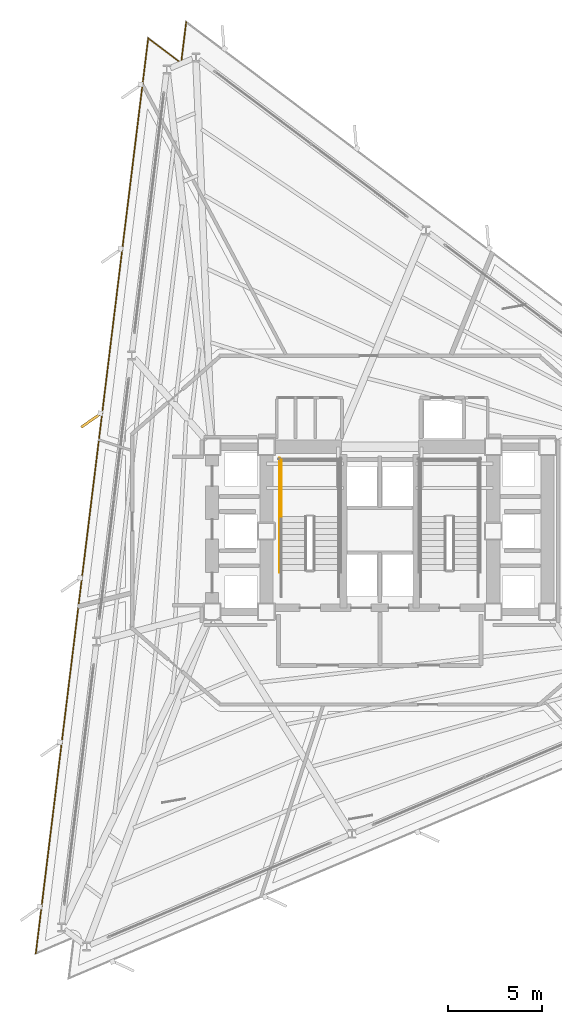
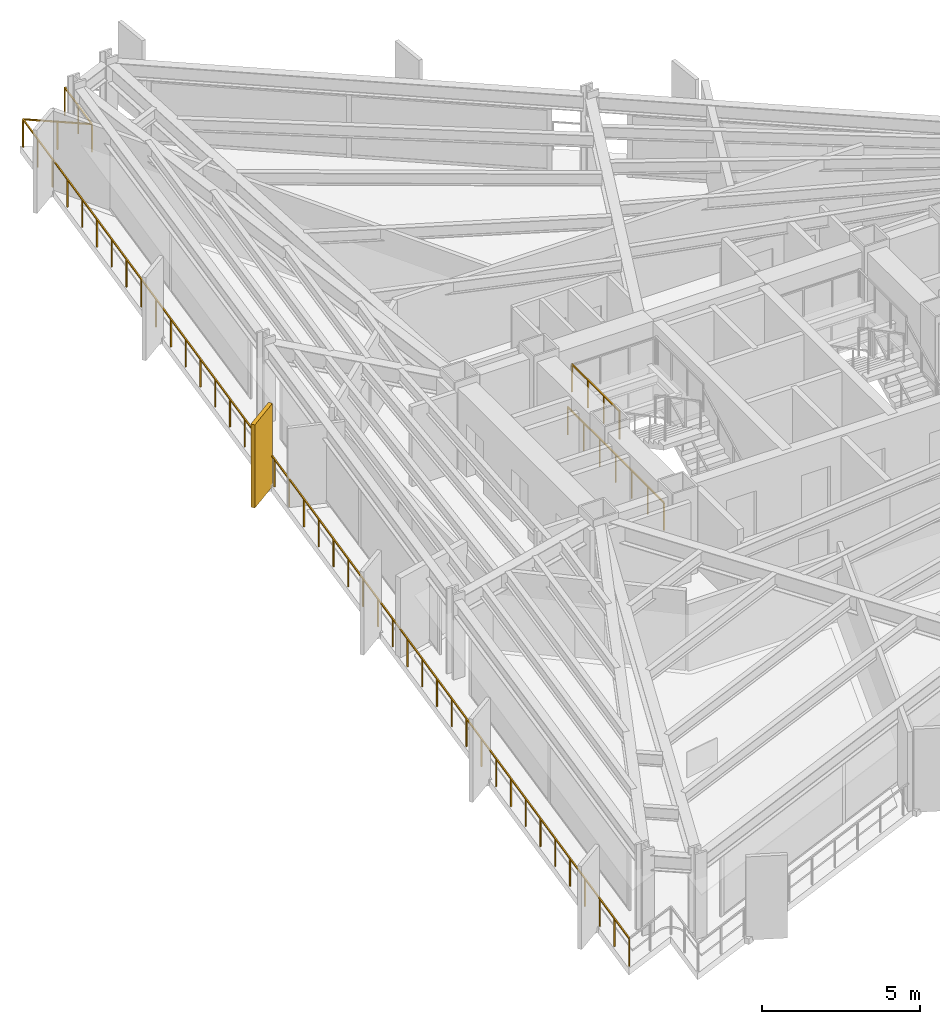
# One storey, part 11 of 13: 3 railings, 1 shading device.
"""IFC4 building model written with IfcOpenShell, lengths in metres."""

from ifc_helpers import new_model, si_unit, direction, frame, origin, origin_2d, place, context, subcontext, project, spatial, rectangle, extrude, material, layer, layer_set, type_object, element, save


model = new_model("IFC4")

# Units and contexts
model_context = context("Model", 3, precision=1e-05, world=origin(), true_north=direction((0.0, 1.0)))
body_context = subcontext(model_context, "Body", "Model", "MODEL_VIEW")
ifc_project = project(units=[si_unit("LENGTHUNIT", "METRE"), si_unit("AREAUNIT", "SQUARE_METRE"), si_unit("VOLUMEUNIT", "CUBIC_METRE"), si_unit("PLANEANGLEUNIT", "RADIAN"), si_unit("MASSUNIT", "GRAM", prefix="KILO")], contexts=[model_context])

# Site, building, storey
site_placement = place(None, origin())
site = spatial("IfcSite", under=ifc_project, at=site_placement, CompositionType="ELEMENT")
building_placement = place(site_placement, origin())
building = spatial("IfcBuilding", under=site, at=building_placement, Name="Rocaltana Carrier Exchange", CompositionType="ELEMENT")
storey_placement = place(building_placement, frame((0.0, 0.0, 52.9599609375)))
storey = spatial("IfcBuildingStorey", under=building, at=storey_placement, Name="L16", CompositionType="ELEMENT", Elevation=52.9599609375)

# Railings
ifc_material_1 = material(Name="Powder-Coated Aluminium 6063-T6", Category="aluminium")
ifc_layer_1 = layer(ifc_material_1, 0.048095703125)
ifc_layer_set_1 = layer_set([ifc_layer_1], Name="Powder-Coated Aluminium 6063-T6")
railing_type_1 = type_object("IfcRailingType", Name="Stair Well Guardrail 1100", PredefinedType="GUARDRAIL", material=ifc_layer_set_1)
railing_1_placement = place(storey_placement, frame((-5.25, 0.780029296875, 1.679931640625)))
element("IfcRailing", 1, at=railing_1_placement, inside=storey, type_object=railing_type_1, Name="L16 ST-1 stair guard 4", PredefinedType="GUARDRAIL", context=body_context, shape_type="SweptSolid", body=[
    extrude(rectangle(XDim=0.048095703125, YDim=0.048095703125, at=origin_2d()), frame((0.0, 0.0, 1.076171875), z_axis=(0.0, 1.0, 0.0), x_axis=(-1.0, 0.0, 0.0)), (0.0, 0.0, 1.0), 3.02001953125),
    extrude(rectangle(XDim=0.0419921875, YDim=0.0419921875, at=origin_2d()), origin(), (0.0, 0.0, 1.0), 1.052001953125),
    extrude(rectangle(XDim=0.0419921875, YDim=0.0419921875, at=origin_2d()), frame((0.0, 1.006591796875, 0.0)), (0.0, 0.0, 1.0), 1.052001953125),
    extrude(rectangle(XDim=0.0419921875, YDim=0.0419921875, at=origin_2d()), frame((0.0, 2.013427734375, 0.0)), (0.0, 0.0, 1.0), 1.052001953125),
    extrude(rectangle(XDim=0.0419921875, YDim=0.0419921875, at=origin_2d()), frame((0.0, 3.02001953125, 0.0)), (0.0, 0.0, 1.0), 1.052001953125),
])
railing_2_placement = place(storey_placement, frame((-5.35009765625, -2.199951171875, 0.0)))
element("IfcRailing", 2, at=railing_2_placement, inside=storey, type_object=railing_type_1, Name="L16 ST-1 stair guard 11", PredefinedType="GUARDRAIL", context=body_context, shape_type="SweptSolid", body=[
    extrude(rectangle(XDim=0.048095703125, YDim=0.048095703125, at=origin_2d()), frame((0.0, 0.0, 1.076171875), z_axis=(0.0, 1.0, 0.0), x_axis=(-1.0, 0.0, 0.0)), (0.0, 0.0, 1.0), 6.099853515625),
    extrude(rectangle(XDim=0.0419921875, YDim=0.0419921875, at=origin_2d()), origin(), (0.0, 0.0, 1.0), 1.052001953125),
    extrude(rectangle(XDim=0.0419921875, YDim=0.0419921875, at=origin_2d()), frame((0.0, 1.0166015625, 0.0)), (0.0, 0.0, 1.0), 1.052001953125),
    extrude(rectangle(XDim=0.0419921875, YDim=0.0419921875, at=origin_2d()), frame((0.0, 2.033203125, 0.0)), (0.0, 0.0, 1.0), 1.052001953125),
    extrude(rectangle(XDim=0.0419921875, YDim=0.0419921875, at=origin_2d()), frame((0.0, 3.0498046875, 0.0)), (0.0, 0.0, 1.0), 1.052001953125),
    extrude(rectangle(XDim=0.0419921875, YDim=0.0419921875, at=origin_2d()), frame((0.0, 4.066650390625, 0.0)), (0.0, 0.0, 1.0), 1.052001953125),
    extrude(rectangle(XDim=0.0419921875, YDim=0.0419921875, at=origin_2d()), frame((0.0, 5.083251953125, 0.0)), (0.0, 0.0, 1.0), 1.052001953125),
    extrude(rectangle(XDim=0.0419921875, YDim=0.0419921875, at=origin_2d()), frame((0.0, 6.099853515625, 0.0)), (0.0, 0.0, 1.0), 1.052001953125),
])

# Shading device
ifc_material_2 = material(Name="Honed Bogota Sandstone & Concrete C45/55", Category="masonry")
ifc_layer_2 = layer(ifc_material_2, 0.139892578125)
ifc_layer_set_2 = layer_set([ifc_layer_2], Name="Honed Bogota Sandstone & Concrete C45/55")
shading_device_type = type_object("IfcShadingDeviceType", Name="Vertical Sandstone Shading Fin 1320x140", PredefinedType="USERDEFINED", material=ifc_layer_set_2)
shading_device_placement = place(storey_placement, frame((-15.38427734375, 5.92431640625, -0.1201171875), z_axis=(0.0, 0.0, 1.0), x_axis=(-0.819152044289, -0.573576436351, 0.0)))
element("IfcShadingDevice", 3, at=shading_device_placement, inside=storey, type_object=shading_device_type, Name="L16 Sandstone Vertical Fin F2-03", ObjectType="FIN", PredefinedType="USERDEFINED", context=body_context, shape_type="SweptSolid", body=[
    extrude(rectangle(XDim=1.320068359375, YDim=0.139892578125, at=origin_2d()), origin(), (0.0, 0.0, 1.0), 3.218017578125),
])

# Railing
ifc_material_3 = material(Name="Powder-Coated Aluminium 6063-T6", Category="aluminium")
ifc_layer_3 = layer(ifc_material_3, 0.06005859375)
ifc_layer_set_3 = layer_set([ifc_layer_3], Name="Powder-Coated Aluminium 6063-T6")
railing_type_2 = type_object("IfcRailingType", Name="Wind-Floor & Terrace Perimeter Guardrail 1100", PredefinedType="GUARDRAIL", material=ifc_layer_set_3)
railing_3_placement = place(storey_placement, frame((-18.352783203125, -22.52734375, 0.0)))
element("IfcRailing", 4, at=railing_3_placement, inside=storey, type_object=railing_type_2, Name="L16 Perimeter Balcony Guardrail 2", PredefinedType="GUARDRAIL", context=body_context, shape_type="SweptSolid", body=[
    extrude(rectangle(XDim=0.048095703125, YDim=0.048095703125, at=origin_2d()), frame((0.0, 0.0, 1.076171875), z_axis=(0.12186659782, 0.992546488753, 0.0), x_axis=(-0.992546488753, 0.12186659782, 0.0)), (0.0, 0.0, 1.0), 49.192138671875),
    extrude(rectangle(XDim=0.048095703125, YDim=0.048095703125, at=origin_2d()), frame((5.994873046875, 48.825439453125, 1.076171875), z_axis=(0.798653030423, -0.601791772125, 0.0), x_axis=(0.601791772125, 0.798653030423, 0.0)), (0.0, 0.0, 1.0), 2.199951171875),
    extrude(rectangle(XDim=0.048095703125, YDim=0.048095703125, at=origin_2d()), frame((7.751953125, 47.50146484375, 1.076171875), z_axis=(0.121849105842, 0.992548636292, 0.0), x_axis=(-0.992548636292, 0.121849105842, 0.0)), (0.0, 0.0, 1.0), 2.199951171875),
    extrude(rectangle(XDim=0.0419921875, YDim=0.0419921875, at=origin_2d()), origin(), (0.0, 0.0, 1.0), 1.052001953125),
    extrude(rectangle(XDim=0.0419921875, YDim=0.0419921875, at=origin_2d()), frame((0.146240234375, 1.19091796875, 0.0)), (0.0, 0.0, 1.0), 1.052001953125),
    extrude(rectangle(XDim=0.0419921875, YDim=0.0419921875, at=origin_2d()), frame((0.29248046875, 2.3818359375, 0.0)), (0.0, 0.0, 1.0), 1.052001953125),
    extrude(rectangle(XDim=0.0419921875, YDim=0.0419921875, at=origin_2d()), frame((0.438720703125, 3.572509765625, 0.0)), (0.0, 0.0, 1.0), 1.052001953125),
    extrude(rectangle(XDim=0.0419921875, YDim=0.0419921875, at=origin_2d()), frame((0.5849609375, 4.763427734375, 0.0)), (0.0, 0.0, 1.0), 1.052001953125),
    extrude(rectangle(XDim=0.0419921875, YDim=0.0419921875, at=origin_2d()), frame((0.731201171875, 5.954345703125, 0.0)), (0.0, 0.0, 1.0), 1.052001953125),
    extrude(rectangle(XDim=0.0419921875, YDim=0.0419921875, at=origin_2d()), frame((0.877197265625, 7.145263671875, 0.0)), (0.0, 0.0, 1.0), 1.052001953125),
    extrude(rectangle(XDim=0.0419921875, YDim=0.0419921875, at=origin_2d()), frame((1.0234375, 8.3359375, 0.0)), (0.0, 0.0, 1.0), 1.052001953125),
    extrude(rectangle(XDim=0.0419921875, YDim=0.0419921875, at=origin_2d()), frame((1.169677734375, 9.52685546875, 0.0)), (0.0, 0.0, 1.0), 1.052001953125),
    extrude(rectangle(XDim=0.0419921875, YDim=0.0419921875, at=origin_2d()), frame((1.31591796875, 10.7177734375, 0.0)), (0.0, 0.0, 1.0), 1.052001953125),
    extrude(rectangle(XDim=0.0419921875, YDim=0.0419921875, at=origin_2d()), frame((1.462158203125, 11.90869140625, 0.0)), (0.0, 0.0, 1.0), 1.052001953125),
    extrude(rectangle(XDim=0.0419921875, YDim=0.0419921875, at=origin_2d()), frame((1.6083984375, 13.099609375, 0.0)), (0.0, 0.0, 1.0), 1.052001953125),
    extrude(rectangle(XDim=0.0419921875, YDim=0.0419921875, at=origin_2d()), frame((1.754638671875, 14.290283203125, 0.0)), (0.0, 0.0, 1.0), 1.052001953125),
    extrude(rectangle(XDim=0.0419921875, YDim=0.0419921875, at=origin_2d()), frame((1.90087890625, 15.481201171875, 0.0)), (0.0, 0.0, 1.0), 1.052001953125),
    extrude(rectangle(XDim=0.0419921875, YDim=0.0419921875, at=origin_2d()), frame((2.047119140625, 16.672119140625, 0.0)), (0.0, 0.0, 1.0), 1.052001953125),
    extrude(rectangle(XDim=0.0419921875, YDim=0.0419921875, at=origin_2d()), frame((2.193359375, 17.863037109375, 0.0)), (0.0, 0.0, 1.0), 1.052001953125),
    extrude(rectangle(XDim=0.0419921875, YDim=0.0419921875, at=origin_2d()), frame((2.33935546875, 19.0537109375, 0.0)), (0.0, 0.0, 1.0), 1.052001953125),
    extrude(rectangle(XDim=0.0419921875, YDim=0.0419921875, at=origin_2d()), frame((2.485595703125, 20.24462890625, 0.0)), (0.0, 0.0, 1.0), 1.052001953125),
    extrude(rectangle(XDim=0.0419921875, YDim=0.0419921875, at=origin_2d()), frame((2.6318359375, 21.435546875, 0.0)), (0.0, 0.0, 1.0), 1.052001953125),
    extrude(rectangle(XDim=0.0419921875, YDim=0.0419921875, at=origin_2d()), frame((2.778076171875, 22.62646484375, 0.0)), (0.0, 0.0, 1.0), 1.052001953125),
    extrude(rectangle(XDim=0.0419921875, YDim=0.0419921875, at=origin_2d()), frame((2.92431640625, 23.8173828125, 0.0)), (0.0, 0.0, 1.0), 1.052001953125),
    extrude(rectangle(XDim=0.0419921875, YDim=0.0419921875, at=origin_2d()), frame((3.070556640625, 25.008056640625, 0.0)), (0.0, 0.0, 1.0), 1.052001953125),
    extrude(rectangle(XDim=0.0419921875, YDim=0.0419921875, at=origin_2d()), frame((3.216796875, 26.198974609375, 0.0)), (0.0, 0.0, 1.0), 1.052001953125),
    extrude(rectangle(XDim=0.0419921875, YDim=0.0419921875, at=origin_2d()), frame((3.363037109375, 27.389892578125, 0.0)), (0.0, 0.0, 1.0), 1.052001953125),
    extrude(rectangle(XDim=0.0419921875, YDim=0.0419921875, at=origin_2d()), frame((3.50927734375, 28.580810546875, 0.0)), (0.0, 0.0, 1.0), 1.052001953125),
    extrude(rectangle(XDim=0.0419921875, YDim=0.0419921875, at=origin_2d()), frame((3.655517578125, 29.771728515625, 0.0)), (0.0, 0.0, 1.0), 1.052001953125),
    extrude(rectangle(XDim=0.0419921875, YDim=0.0419921875, at=origin_2d()), frame((3.801513671875, 30.96240234375, 0.0)), (0.0, 0.0, 1.0), 1.052001953125),
    extrude(rectangle(XDim=0.0419921875, YDim=0.0419921875, at=origin_2d()), frame((3.94775390625, 32.1533203125, 0.0)), (0.0, 0.0, 1.0), 1.052001953125),
    extrude(rectangle(XDim=0.0419921875, YDim=0.0419921875, at=origin_2d()), frame((4.093994140625, 33.34423828125, 0.0)), (0.0, 0.0, 1.0), 1.052001953125),
    extrude(rectangle(XDim=0.0419921875, YDim=0.0419921875, at=origin_2d()), frame((4.240234375, 34.53515625, 0.0)), (0.0, 0.0, 1.0), 1.052001953125),
    extrude(rectangle(XDim=0.0419921875, YDim=0.0419921875, at=origin_2d()), frame((4.386474609375, 35.725830078125, 0.0)), (0.0, 0.0, 1.0), 1.052001953125),
    extrude(rectangle(XDim=0.0419921875, YDim=0.0419921875, at=origin_2d()), frame((4.53271484375, 36.916748046875, 0.0)), (0.0, 0.0, 1.0), 1.052001953125),
    extrude(rectangle(XDim=0.0419921875, YDim=0.0419921875, at=origin_2d()), frame((4.678955078125, 38.107666015625, 0.0)), (0.0, 0.0, 1.0), 1.052001953125),
    extrude(rectangle(XDim=0.0419921875, YDim=0.0419921875, at=origin_2d()), frame((4.8251953125, 39.298583984375, 0.0)), (0.0, 0.0, 1.0), 1.052001953125),
    extrude(rectangle(XDim=0.0419921875, YDim=0.0419921875, at=origin_2d()), frame((4.971435546875, 40.489501953125, 0.0)), (0.0, 0.0, 1.0), 1.052001953125),
    extrude(rectangle(XDim=0.0419921875, YDim=0.0419921875, at=origin_2d()), frame((5.11767578125, 41.68017578125, 0.0)), (0.0, 0.0, 1.0), 1.052001953125),
    extrude(rectangle(XDim=0.0419921875, YDim=0.0419921875, at=origin_2d()), frame((5.263671875, 42.87109375, 0.0)), (0.0, 0.0, 1.0), 1.052001953125),
    extrude(rectangle(XDim=0.0419921875, YDim=0.0419921875, at=origin_2d()), frame((5.409912109375, 44.06201171875, 0.0)), (0.0, 0.0, 1.0), 1.052001953125),
    extrude(rectangle(XDim=0.0419921875, YDim=0.0419921875, at=origin_2d()), frame((5.55615234375, 45.2529296875, 0.0)), (0.0, 0.0, 1.0), 1.052001953125),
    extrude(rectangle(XDim=0.0419921875, YDim=0.0419921875, at=origin_2d()), frame((5.702392578125, 46.443603515625, 0.0)), (0.0, 0.0, 1.0), 1.052001953125),
    extrude(rectangle(XDim=0.0419921875, YDim=0.0419921875, at=origin_2d()), frame((5.8486328125, 47.634521484375, 0.0)), (0.0, 0.0, 1.0), 1.052001953125),
    extrude(rectangle(XDim=0.0419921875, YDim=0.0419921875, at=origin_2d()), frame((5.994873046875, 48.825439453125, 0.0)), (0.0, 0.0, 1.0), 1.052001953125),
    extrude(rectangle(XDim=0.0419921875, YDim=0.0419921875, at=origin_2d()), frame((6.87353515625, 48.16357421875, 0.0)), (0.0, 0.0, 1.0), 1.052001953125),
    extrude(rectangle(XDim=0.0419921875, YDim=0.0419921875, at=origin_2d()), frame((7.751953125, 47.50146484375, 0.0)), (0.0, 0.0, 1.0), 1.052001953125),
    extrude(rectangle(XDim=0.0419921875, YDim=0.0419921875, at=origin_2d()), frame((7.885986328125, 48.59326171875, 0.0)), (0.0, 0.0, 1.0), 1.052001953125),
    extrude(rectangle(XDim=0.0419921875, YDim=0.0419921875, at=origin_2d()), frame((8.02001953125, 49.68505859375, 0.0)), (0.0, 0.0, 1.0), 1.052001953125),
])

save(model, "model.ifc")
